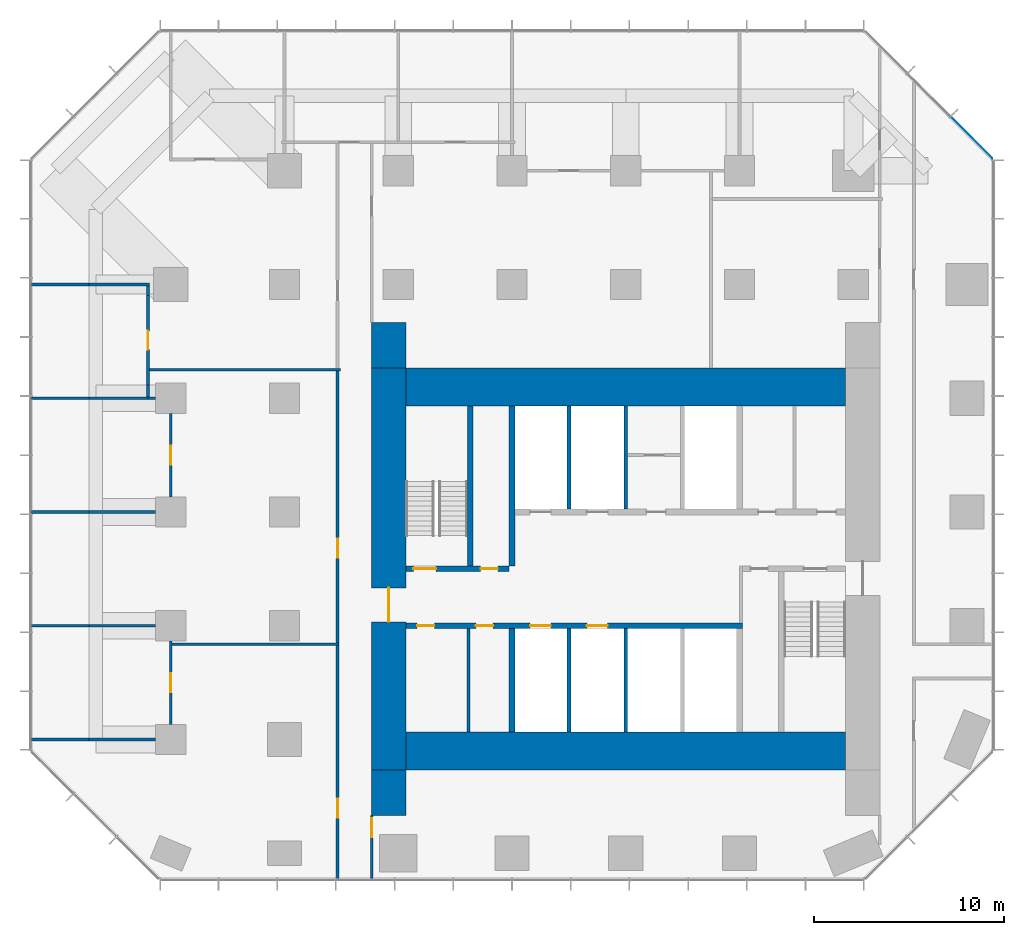
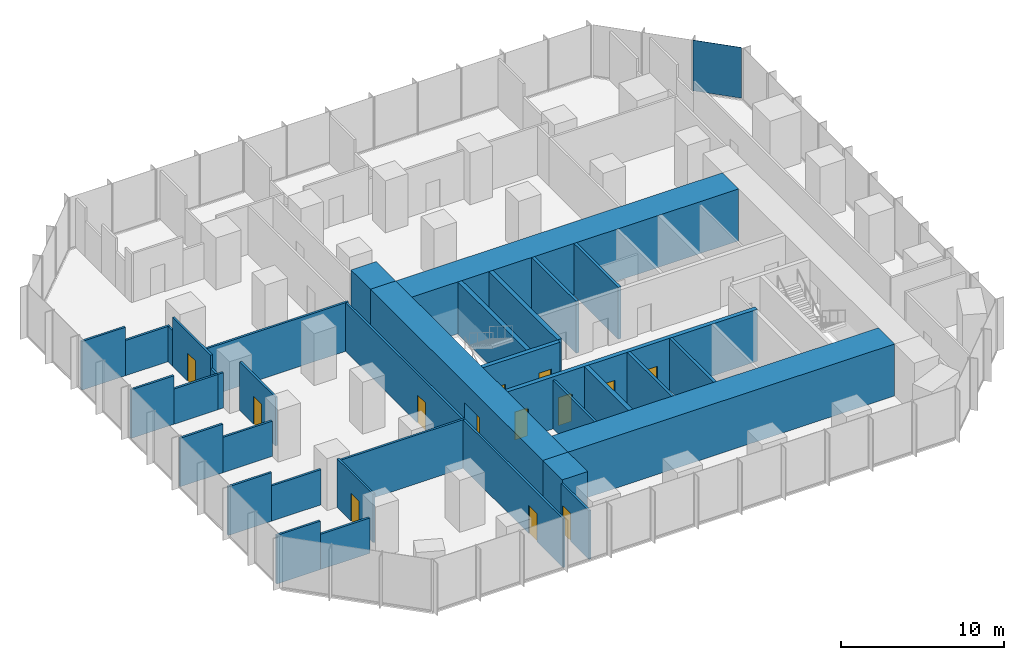
# One storey, part 8 of 11: 36 walls, 13 doors, 1 plate, 13 openings, 1 element without a shape of its own.
"""IFC4 building model written with IfcOpenShell, lengths in metres."""

from ifc_helpers import new_model, si_unit, direction, frame, frame_2d, origin, origin_2d, place, context, subcontext, project, spatial, rectangle, extrude, material, layer, layer_set, type_object, element, fill, aggregate, save


model = new_model("IFC4")

# Units and contexts
model_context = context("Model", 3, precision=1e-05, world=origin(), true_north=direction((0.0, 1.0)))
body_context = subcontext(model_context, "Body", "Model", "MODEL_VIEW")
ifc_project = project(units=[si_unit("LENGTHUNIT", "METRE"), si_unit("AREAUNIT", "SQUARE_METRE"), si_unit("VOLUMEUNIT", "CUBIC_METRE"), si_unit("PLANEANGLEUNIT", "RADIAN"), si_unit("MASSUNIT", "GRAM", prefix="KILO")], contexts=[model_context])

# Site, building, storey
site_placement = place(None, origin())
site = spatial("IfcSite", under=ifc_project, at=site_placement, CompositionType="ELEMENT")
building_placement = place(site_placement, origin())
building = spatial("IfcBuilding", under=site, at=building_placement, Name="Highveld Stack Headquarters", CompositionType="ELEMENT")
storey_placement = place(building_placement, frame((0.0, 0.0, 105.5)))
storey = spatial("IfcBuildingStorey", under=building, at=storey_placement, Name="L25", CompositionType="ELEMENT", Elevation=105.5)

# Curtain wall, plate
ifc_material_1 = material(Name="Aluminium bronze anodised", Category="aluminium")
ifc_layer_1 = layer(ifc_material_1, 0.199951171875)
ifc_layer_set_1 = layer_set([ifc_layer_1], Name="Aluminium bronze anodised")
curtain_wall_type = type_object("IfcCurtainWallType", Name="CW2 TOWER CHAMFER UNITISED CURTAIN WALL", PredefinedType="NOTDEFINED", material=ifc_layer_set_1)
curtain_wall_placement = place(storey_placement, origin())
curtain_wall = element("IfcCurtainWall", 1, at=curtain_wall_placement, inside=storey, type_object=curtain_wall_type, Name="Curtain wall CW2 L25 NE", PredefinedType="NOTDEFINED")
ifc_material_2 = material(Name="Glass bronze tinted double glazed unit", Category="glass")
ifc_layer_2 = layer(ifc_material_2, 0.028076171875)
ifc_layer_set_2 = layer_set([ifc_layer_2], Name="Glass bronze tinted double glazed unit")
plate_type = type_object("IfcPlateType", Name="CW2 PANEL BRONZE TINTED DOUBLE GLAZED UNIT", PredefinedType="CURTAIN_PANEL", material=ifc_layer_set_2)
plate_placement = place(storey_placement, frame((24.239501953125, 25.740478515625, 0.10009765625), z_axis=(0.0, 0.0, 1.0), x_axis=(-0.707106781187, 0.707106781187, 0.0)))
plate = element("IfcPlate", 2, at=plate_placement, type_object=plate_type, Name="CW2 panel L25 1.1", PredefinedType="CURTAIN_PANEL", context=body_context, shape_type="SweptSolid", body=[
    extrude(rectangle(XDim=3.08251953125, YDim=0.028076171875, at=origin_2d()), origin(), (0.0, 0.0, 1.0), 3.800048828125),
])
aggregate(curtain_wall, [plate])

# Wall, opening, door
ifc_material_3 = material(Name="Concrete C60/75", Category="concrete")
ifc_layer_3 = layer(ifc_material_3, 1.800048828125)
ifc_layer_set_3 = layer_set([ifc_layer_3], Name="Concrete C60/75")
wall_type_1 = type_object("IfcWallType", Name="CORE WALL 1800 C60/75", PredefinedType="SHEAR", material=ifc_layer_set_3)
wall_1_placement = place(storey_placement, frame((-6.5, -7.60009765625, 0.0), z_axis=(0.0, 0.0, 1.0), x_axis=(0.0, 1.0, 0.0)))
wall_1 = element("IfcWall", 3, at=wall_1_placement, inside=storey, type_object=wall_type_1, Name="Core wall W L25", PredefinedType="SHEAR", context=body_context, shape_type="SweptSolid", body=[
    extrude(rectangle(XDim=21.2001953125, YDim=1.800048828125, at=frame_2d((10.60009765625, 0.0))), origin(), (0.0, 0.0, 1.0), 3.89990234375),
])
opening_1_placement = place(wall_1_placement, frame((7.800048828125, 0.0, 0.0)))
opening_1 = element("IfcOpeningElement", 4, at=opening_1_placement, cuts=wall_1, Name="Opening L25-01", PredefinedType="OPENING", context=body_context, shape_type="SweptSolid", body=[
    extrude(rectangle(XDim=1.800048828125, YDim=2.39990234375, at=frame_2d((0.89990234375, 1.199951171875))), frame((0.0, 0.909912109375, 0.0), z_axis=(0.0, -1.0, 0.0), x_axis=(1.0, 0.0, 0.0)), (0.0, 0.0, 1.0), 1.820068359375),
])
ifc_material_4 = material(Name="Steel fire door", Category="steel")
door_type_1 = type_object("IfcDoorType", Name="LOBBY FIRE DOOR D4 1800x2400", OperationType="DOUBLE_DOOR_SINGLE_SWING", PredefinedType="DOOR", material=ifc_material_4)
door_1_placement = place(opening_1_placement, origin())
door_1 = element("IfcDoor", 5, at=door_1_placement, inside=storey, type_object=door_type_1, Name="Core west door L25", OperationType="DOUBLE_DOOR_SINGLE_SWING", OverallHeight=2.39990234375, OverallWidth=1.800048828125, PredefinedType="DOOR", context=body_context, shape_type="SweptSolid", body=[
    extrude(rectangle(XDim=1.800048828125, YDim=2.39990234375, at=frame_2d((0.89990234375, 1.199951171875))), frame((0.0, 0.02490234375, 0.0), z_axis=(0.0, -1.0, 0.0), x_axis=(1.0, 0.0, 0.0)), (0.0, 0.0, 1.0), 0.050048828125),
])
fill(opening_1, door_1)

# Walls
ifc_material_5 = material(Name="Concrete C60/75", Category="concrete")
ifc_layer_4 = layer(ifc_material_5, 2.0)
ifc_layer_set_4 = layer_set([ifc_layer_4], Name="Concrete C60/75")
wall_type_2 = type_object("IfcWallType", Name="CORE WALL 2000 C60/75", PredefinedType="SHEAR", material=ifc_layer_set_4)
for number, where, z_axis, x_axis, name in (
    (6, (-5.60009765625, -6.60009765625, 0.0), (0.0, 0.0, 1.0), (1.0, 0.0, 0.0), "Core wall S L25"),
    (7, (-5.60009765625, 12.60009765625, 0.0), (0.0, 0.0, 1.0), (1.0, 0.0, 0.0), "Core wall N L25"),
):
    element("IfcWall", number, at=place(storey_placement, frame(where, z_axis=z_axis, x_axis=x_axis)), inside=storey, type_object=wall_type_2, Name=name, PredefinedType="SHEAR", context=body_context, shape_type="SweptSolid", body=[
        extrude(rectangle(XDim=23.2001953125, YDim=2.0, at=frame_2d((11.60009765625, 0.0))), origin(), (0.0, 0.0, 1.0), 3.89990234375),
    ])

# Wall, openings, doors
ifc_material_6 = material(Name="Concrete C60/75", Category="concrete")
ifc_layer_5 = layer(ifc_material_6, 0.300048828125)
ifc_layer_set_5 = layer_set([ifc_layer_5], Name="Concrete C60/75")
wall_type_3 = type_object("IfcWallType", Name="CORE WALL 300 C60/75", PredefinedType="SHEAR", material=ifc_layer_set_5)
wall_2_placement = place(storey_placement, frame((-5.60009765625, 0.0, 0.0), z_axis=(0.0, 0.0, 1.0), x_axis=(1.0, 0.0, 0.0)))
wall_2 = element("IfcWall", 8, at=wall_2_placement, inside=storey, type_object=wall_type_3, Name="Core wall I-Y0 L25", PredefinedType="SHEAR", context=body_context, shape_type="SweptSolid", body=[
    extrude(rectangle(XDim=17.75, YDim=0.300048828125, at=frame_2d((8.875, 0.0))), origin(), (0.0, 0.0, 1.0), 3.89990234375),
])
opening_2_placement = place(wall_2_placement, frame((0.60009765625, 0.0, 0.0)))
opening_2 = element("IfcOpeningElement", 9, at=opening_2_placement, cuts=wall_2, Name="Opening L25-07", PredefinedType="OPENING", context=body_context, shape_type="SweptSolid", body=[
    extrude(rectangle(XDim=0.89990234375, YDim=2.10009765625, at=frame_2d((0.449951171875, 1.050048828125))), frame((0.0, 0.159912109375, 0.0), z_axis=(0.0, -1.0, 0.0), x_axis=(1.0, 0.0, 0.0)), (0.0, 0.0, 1.0), 0.320068359375),
])
opening_3_placement = place(wall_2_placement, frame((3.699951171875, 0.0, 0.0)))
opening_3 = element("IfcOpeningElement", 10, at=opening_3_placement, cuts=wall_2, Name="Opening L25-08", PredefinedType="OPENING", context=body_context, shape_type="SweptSolid", body=[
    extrude(rectangle(XDim=0.89990234375, YDim=2.10009765625, at=frame_2d((0.449951171875, 1.050048828125))), frame((0.0, 0.159912109375, 0.0), z_axis=(0.0, -1.0, 0.0), x_axis=(1.0, 0.0, 0.0)), (0.0, 0.0, 1.0), 0.320068359375),
])
opening_4_placement = place(wall_2_placement, frame((6.550048828125, 0.0, 0.0)))
opening_4 = element("IfcOpeningElement", 11, at=opening_4_placement, cuts=wall_2, Name="Opening LD", PredefinedType="OPENING", context=body_context, shape_type="SweptSolid", body=[
    extrude(rectangle(XDim=1.10009765625, YDim=2.10009765625, at=frame_2d((0.550048828125, 1.050048828125))), frame((0.0, 0.159912109375, 0.0), z_axis=(0.0, -1.0, 0.0), x_axis=(1.0, 0.0, 0.0)), (0.0, 0.0, 1.0), 0.320068359375),
])
opening_5_placement = place(wall_2_placement, frame((9.550048828125, 0.0, 0.0)))
opening_5 = element("IfcOpeningElement", 12, at=opening_5_placement, cuts=wall_2, Name="Opening LD", PredefinedType="OPENING", context=body_context, shape_type="SweptSolid", body=[
    extrude(rectangle(XDim=1.10009765625, YDim=2.10009765625, at=frame_2d((0.550048828125, 1.050048828125))), frame((0.0, 0.159912109375, 0.0), z_axis=(0.0, -1.0, 0.0), x_axis=(1.0, 0.0, 0.0)), (0.0, 0.0, 1.0), 0.320068359375),
])
ifc_material_7 = material(Name="Stainless steel lift landing door", Category="steel")
door_type_2 = type_object("IfcDoorType", Name="LIFT LANDING DOOR LD 1100x2100", OperationType="DOUBLE_DOOR_SLIDING", PredefinedType="USERDEFINED", material=ifc_material_7)
door_2_placement = place(opening_4_placement, origin())
door_2 = element("IfcDoor", 13, at=door_2_placement, inside=storey, type_object=door_type_2, Name="Lift landing door B1 L25", ObjectType="LIFT LANDING DOOR", OperationType="DOUBLE_DOOR_SLIDING", OverallHeight=2.10009765625, OverallWidth=1.10009765625, PredefinedType="USERDEFINED", context=body_context, shape_type="SweptSolid", body=[
    extrude(rectangle(XDim=1.10009765625, YDim=2.10009765625, at=frame_2d((0.550048828125, 1.050048828125))), frame((0.0, 0.02490234375, 0.0), z_axis=(0.0, -1.0, 0.0), x_axis=(1.0, 0.0, 0.0)), (0.0, 0.0, 1.0), 0.050048828125),
])
fill(opening_4, door_2)
door_3_placement = place(opening_5_placement, origin())
door_3 = element("IfcDoor", 14, at=door_3_placement, inside=storey, type_object=door_type_2, Name="Lift landing door B2 L25", ObjectType="LIFT LANDING DOOR", OperationType="DOUBLE_DOOR_SLIDING", OverallHeight=2.10009765625, OverallWidth=1.10009765625, PredefinedType="USERDEFINED", context=body_context, shape_type="SweptSolid", body=[
    extrude(rectangle(XDim=1.10009765625, YDim=2.10009765625, at=frame_2d((0.550048828125, 1.050048828125))), frame((0.0, 0.02490234375, 0.0), z_axis=(0.0, -1.0, 0.0), x_axis=(1.0, 0.0, 0.0)), (0.0, 0.0, 1.0), 0.050048828125),
])
fill(opening_5, door_3)
ifc_material_8 = material(Name="Timber door, painted", Category="wood")
door_type_3 = type_object("IfcDoorType", Name="WC DOOR D1 900x2100", OperationType="SINGLE_SWING_LEFT", PredefinedType="DOOR", material=ifc_material_8)
door_4_placement = place(opening_2_placement, origin())
door_4 = element("IfcDoor", 15, at=door_4_placement, inside=storey, type_object=door_type_3, Name="Female WC door L25", OperationType="SINGLE_SWING_LEFT", OverallHeight=2.10009765625, OverallWidth=0.89990234375, PredefinedType="DOOR", context=body_context, shape_type="SweptSolid", body=[
    extrude(rectangle(XDim=0.89990234375, YDim=2.10009765625, at=frame_2d((0.449951171875, 1.050048828125))), frame((0.0, 0.02490234375, 0.0), z_axis=(0.0, -1.0, 0.0), x_axis=(1.0, 0.0, 0.0)), (0.0, 0.0, 1.0), 0.050048828125),
])
fill(opening_2, door_4)
door_5_placement = place(opening_3_placement, origin())
door_5 = element("IfcDoor", 16, at=door_5_placement, inside=storey, type_object=door_type_3, Name="Shower and changing room door L25", OperationType="SINGLE_SWING_LEFT", OverallHeight=2.10009765625, OverallWidth=0.89990234375, PredefinedType="DOOR", context=body_context, shape_type="SweptSolid", body=[
    extrude(rectangle(XDim=0.89990234375, YDim=2.10009765625, at=frame_2d((0.449951171875, 1.050048828125))), frame((0.0, 0.02490234375, 0.0), z_axis=(0.0, -1.0, 0.0), x_axis=(1.0, 0.0, 0.0)), (0.0, 0.0, 1.0), 0.050048828125),
])
fill(opening_3, door_5)

wall_3_placement = place(storey_placement, frame((-5.60009765625, 3.0, 0.0), z_axis=(0.0, 0.0, 1.0), x_axis=(1.0, 0.0, 0.0)))
wall_3 = element("IfcWall", 17, at=wall_3_placement, inside=storey, type_object=wall_type_3, Name="Core wall I-Y3W L25", PredefinedType="SHEAR", context=body_context, shape_type="SweptSolid", body=[
    extrude(rectangle(XDim=5.4501953125, YDim=0.300048828125, at=frame_2d((2.72509765625, 0.0))), origin(), (0.0, 0.0, 1.0), 3.89990234375),
])
opening_6_placement = place(wall_3_placement, frame((0.39990234375, 0.0, 0.0)))
opening_6 = element("IfcOpeningElement", 18, at=opening_6_placement, cuts=wall_3, Name="Opening L25-03", PredefinedType="OPENING", context=body_context, shape_type="SweptSolid", body=[
    extrude(rectangle(XDim=1.199951171875, YDim=2.10009765625, at=frame_2d((0.60009765625, 1.050048828125))), frame((0.0, 0.159912109375, 0.0), z_axis=(0.0, -1.0, 0.0), x_axis=(1.0, 0.0, 0.0)), (0.0, 0.0, 1.0), 0.320068359375),
])
opening_7_placement = place(wall_3_placement, frame((3.949951171875, 0.0, 0.0)))
opening_7 = element("IfcOpeningElement", 19, at=opening_7_placement, cuts=wall_3, Name="Opening L25-04", PredefinedType="OPENING", context=body_context, shape_type="SweptSolid", body=[
    extrude(rectangle(XDim=0.89990234375, YDim=2.10009765625, at=frame_2d((0.449951171875, 1.050048828125))), frame((0.0, 0.159912109375, 0.0), z_axis=(0.0, -1.0, 0.0), x_axis=(1.0, 0.0, 0.0)), (0.0, 0.0, 1.0), 0.320068359375),
])
ifc_material_9 = material(Name="Steel fire door", Category="steel")
door_type_4 = type_object("IfcDoorType", Name="RISER ACCESS DOOR D5 900x2100", OperationType="SINGLE_SWING_LEFT", PredefinedType="DOOR", material=ifc_material_9)
door_6_placement = place(opening_7_placement, origin())
door_6 = element("IfcDoor", 20, at=door_6_placement, inside=storey, type_object=door_type_4, Name="Riser R1 door L25", OperationType="SINGLE_SWING_RIGHT", OverallHeight=2.10009765625, OverallWidth=0.89990234375, PredefinedType="DOOR", context=body_context, shape_type="SweptSolid", body=[
    extrude(rectangle(XDim=0.89990234375, YDim=2.10009765625, at=frame_2d((0.449951171875, 1.050048828125))), frame((0.0, 0.02490234375, 0.0), z_axis=(0.0, -1.0, 0.0), x_axis=(1.0, 0.0, 0.0)), (0.0, 0.0, 1.0), 0.050048828125),
])
fill(opening_7, door_6)
ifc_material_10 = material(Name="Steel fire door", Category="steel")
door_type_5 = type_object("IfcDoorType", Name="STAIR FIRE DOOR D3 1200x2100", OperationType="SINGLE_SWING_LEFT", PredefinedType="DOOR", material=ifc_material_10)
door_7_placement = place(opening_6_placement, origin())
door_7 = element("IfcDoor", 21, at=door_7_placement, inside=storey, type_object=door_type_5, Name="Stair S1 door L25", OperationType="SINGLE_SWING_LEFT", OverallHeight=2.10009765625, OverallWidth=1.199951171875, PredefinedType="DOOR", context=body_context, shape_type="SweptSolid", body=[
    extrude(rectangle(XDim=1.199951171875, YDim=2.10009765625, at=frame_2d((0.60009765625, 1.050048828125))), frame((0.0, 0.02490234375, 0.0), z_axis=(0.0, -1.0, 0.0), x_axis=(1.0, 0.0, 0.0)), (0.0, 0.0, 1.0), 0.050048828125),
])
fill(opening_6, door_7)

# Walls
wall_4_placement = place(storey_placement, frame((0.0, -5.60009765625, 0.0), z_axis=(0.0, 0.0, 1.0), x_axis=(0.0, 1.0, 0.0)))
element("IfcWall", 22, at=wall_4_placement, inside=storey, type_object=wall_type_3, Name="Core wall I-X0S L25", PredefinedType="SHEAR", context=body_context, shape_type="SweptSolid", body=[
    extrude(rectangle(XDim=5.4501953125, YDim=0.300048828125, at=frame_2d((2.72509765625, 0.0))), origin(), (0.0, 0.0, 1.0), 3.89990234375),
])
for number, where, z_axis, x_axis, name in (
    (23, (0.0, 3.14990234375, 0.0), (0.0, 0.0, 1.0), (0.0, 1.0, 0.0), "Core wall I-X0N L25"),
    (24, (-2.199951171875, 3.14990234375, 0.0), (0.0, 0.0, 1.0), (0.0, 1.0, 0.0), "Core wall I-RW L25"),
):
    element("IfcWall", number, at=place(storey_placement, frame(where, z_axis=z_axis, x_axis=x_axis)), inside=storey, type_object=wall_type_3, Name=name, PredefinedType="SHEAR", context=body_context, shape_type="SweptSolid", body=[
        extrude(rectangle(XDim=8.4501953125, YDim=0.300048828125, at=frame_2d((4.22509765625, 0.0))), origin(), (0.0, 0.0, 1.0), 3.89990234375),
    ])
ifc_material_11 = material(Name="Concrete C60/75", Category="concrete")
ifc_layer_6 = layer(ifc_material_11, 1.800048828125)
ifc_layer_set_6 = layer_set([ifc_layer_6], Name="Concrete C60/75")
wall_type_4 = type_object("IfcWallType", Name="CORE WING WALL 1800 C60/75", PredefinedType="SHEAR", material=ifc_layer_set_6)
for number, where, z_axis, x_axis, name in (
    (25, (-6.5, -10.0, 0.0), (0.0, 0.0, 1.0), (0.0, 1.0, 0.0), "Core wing wall WS L25"),
    (26, (-6.5, 13.60009765625, 0.0), (0.0, 0.0, 1.0), (0.0, 1.0, 0.0), "Core wing wall WN L25"),
):
    element("IfcWall", number, at=place(storey_placement, frame(where, z_axis=z_axis, x_axis=x_axis)), inside=storey, type_object=wall_type_4, Name=name, PredefinedType="SHEAR", context=body_context, shape_type="SweptSolid", body=[
        extrude(rectangle(XDim=2.39990234375, YDim=1.800048828125, at=frame_2d((1.199951171875, 0.0))), origin(), (0.0, 0.0, 1.0), 3.89990234375),
    ])

# Wall, opening, door
ifc_material_12 = material(Name="Laminated glass in aluminium frame", Category="aluminium")
ifc_layer_7 = layer(ifc_material_12, 0.14990234375)
ifc_layer_set_7 = layer_set([ifc_layer_7], Name="Laminated glass in aluminium frame")
wall_type_5 = type_object("IfcWallType", Name="GLAZED PARTITION 150", PredefinedType="PARTITIONING", material=ifc_layer_set_7)
wall_5_placement = place(storey_placement, frame((-18.0, -5.199951171875, 0.0), z_axis=(0.0, 0.0, 1.0), x_axis=(0.0, 1.0, 0.0)))
wall_5 = element("IfcWall", 27, at=wall_5_placement, inside=storey, type_object=wall_type_5, Name="Glazed partition Meeting room L25", PredefinedType="PARTITIONING", context=body_context, shape_type="SweptSolid", body=[
    extrude(rectangle(XDim=4.39990234375, YDim=0.14990234375, at=frame_2d((2.199951171875, 0.0))), origin(), (0.0, 0.0, 1.0), 3.64990234375),
])
opening_8_placement = place(wall_5_placement, frame((1.699951171875, 0.0, 0.0)))
opening_8 = element("IfcOpeningElement", 28, at=opening_8_placement, cuts=wall_5, Name="Opening L25-13", PredefinedType="OPENING", context=body_context, shape_type="SweptSolid", body=[
    extrude(rectangle(XDim=1.0, YDim=2.10009765625, at=frame_2d((0.5, 1.050048828125))), frame((0.0, 0.0849609375, 0.0), z_axis=(0.0, -1.0, 0.0), x_axis=(1.0, 0.0, 0.0)), (0.0, 0.0, 1.0), 0.169921875),
])
ifc_material_13 = material(Name="Timber door, oiled ash", Category="wood")
door_type_6 = type_object("IfcDoorType", Name="ROOM DOOR D6 1000x2100", OperationType="SINGLE_SWING_LEFT", PredefinedType="DOOR", material=ifc_material_13)
door_8_placement = place(opening_8_placement, origin())
door_8 = element("IfcDoor", 29, at=door_8_placement, inside=storey, type_object=door_type_6, Name="Meeting room door 1 L25", OperationType="SINGLE_SWING_LEFT", OverallHeight=2.10009765625, OverallWidth=1.0, PredefinedType="DOOR", context=body_context, shape_type="SweptSolid", body=[
    extrude(rectangle(XDim=1.0, YDim=2.10009765625, at=frame_2d((0.5, 1.050048828125))), frame((0.0, 0.02490234375, 0.0), z_axis=(0.0, -1.0, 0.0), x_axis=(1.0, 0.0, 0.0)), (0.0, 0.0, 1.0), 0.050048828125),
])
fill(opening_8, door_8)

# Walls
ifc_material_14 = material(Name="Concrete blockwork, fair-faced", Category="masonry")
ifc_layer_8 = layer(ifc_material_14, 0.199951171875)
ifc_layer_set_8 = layer_set([ifc_layer_8], Name="Concrete blockwork, fair-faced")
wall_type_6 = type_object("IfcWallType", Name="LIFT SHAFT ENCLOSURE WALL 200 BLOCKWORK", PredefinedType="SOLIDWALL", material=ifc_layer_set_8)
for number, where, z_axis, x_axis, name in (
    (30, (3.0, 6.14990234375, 0.0), (0.0, 0.0, 1.0), (0.0, 1.0, 0.0), "Lift shaft wall L25"),
    (31, (6.0, 6.14990234375, 0.0), (0.0, 0.0, 1.0), (0.0, 1.0, 0.0), "Lift shaft wall L25"),
    (32, (3.0, -5.60009765625, 0.0), (0.0, 0.0, 1.0), (0.0, 1.0, 0.0), "Lift shaft wall L25"),
    (33, (6.0, -5.60009765625, 0.0), (0.0, 0.0, 1.0), (0.0, 1.0, 0.0), "Lift shaft wall L25"),
):
    element("IfcWall", number, at=place(storey_placement, frame(where, z_axis=z_axis, x_axis=x_axis)), inside=storey, type_object=wall_type_6, Name=name, PredefinedType="SOLIDWALL", context=body_context, shape_type="SweptSolid", body=[
        extrude(rectangle(XDim=5.4501953125, YDim=0.199951171875, at=frame_2d((2.72509765625, 0.0))), origin(), (0.0, 0.0, 1.0), 3.89990234375),
    ])
ifc_material_15 = material(Name="Gypsum plasterboard on steel studs", Category="steel")
ifc_layer_9 = layer(ifc_material_15, 0.14990234375)
ifc_layer_set_9 = layer_set([ifc_layer_9], Name="Gypsum plasterboard on steel studs")
wall_type_7 = type_object("IfcWallType", Name="PARTITION 150 PLASTERBOARD", PredefinedType="PARTITIONING", material=ifc_layer_set_9)
wall_6_placement = place(storey_placement, frame((-25.39990234375, -6.0, 0.0), z_axis=(0.0, 0.0, 1.0), x_axis=(1.0, 0.0, 0.0)))
element("IfcWall", 34, at=wall_6_placement, inside=storey, type_object=wall_type_7, Name="Partition Meeting room L25", PredefinedType="PARTITIONING", context=body_context, shape_type="SweptSolid", body=[
    extrude(rectangle(XDim=3.08984375, YDim=0.14990234375, at=frame_2d((1.544921875, 0.0))), origin(), (0.0, 0.0, 1.0), 3.64990234375),
])
wall_7_placement = place(storey_placement, frame((-22.31005859375, -6.0, 0.0), z_axis=(0.0, 0.0, 1.0), x_axis=(1.0, 0.0, 0.0)))
element("IfcWall", 35, at=wall_7_placement, inside=storey, type_object=wall_type_7, Name="Partition Meeting room L25", PredefinedType="PARTITIONING", context=body_context, shape_type="SweptSolid", body=[
    extrude(rectangle(XDim=3.510009765625, YDim=0.14990234375, at=frame_2d((1.7548828125, 0.0))), origin(), (0.0, 0.0, 1.0), 2.64990234375),
])
wall_8_placement = place(storey_placement, frame((-25.39990234375, 0.0, 0.0), z_axis=(0.0, 0.0, 1.0), x_axis=(1.0, 0.0, 0.0)))
element("IfcWall", 36, at=wall_8_placement, inside=storey, type_object=wall_type_7, Name="Partition Meeting room L25", PredefinedType="PARTITIONING", context=body_context, shape_type="SweptSolid", body=[
    extrude(rectangle(XDim=3.08984375, YDim=0.14990234375, at=frame_2d((1.544921875, 0.0))), origin(), (0.0, 0.0, 1.0), 3.64990234375),
])
wall_9_placement = place(storey_placement, frame((-22.31005859375, 0.0, 0.0), z_axis=(0.0, 0.0, 1.0), x_axis=(1.0, 0.0, 0.0)))
element("IfcWall", 37, at=wall_9_placement, inside=storey, type_object=wall_type_7, Name="Partition Meeting room L25", PredefinedType="PARTITIONING", context=body_context, shape_type="SweptSolid", body=[
    extrude(rectangle(XDim=3.510009765625, YDim=0.14990234375, at=frame_2d((1.7548828125, 0.0))), origin(), (0.0, 0.0, 1.0), 2.64990234375),
])
wall_10_placement = place(storey_placement, frame((-25.35009765625, 6.0, 0.0), z_axis=(0.0, 0.0, 1.0), x_axis=(1.0, 0.0, 0.0)))
element("IfcWall", 38, at=wall_10_placement, inside=storey, type_object=wall_type_7, Name="Partition Office L25", PredefinedType="PARTITIONING", context=body_context, shape_type="SweptSolid", body=[
    extrude(rectangle(XDim=3.0400390625, YDim=0.14990234375, at=frame_2d((1.52001953125, 0.0))), origin(), (0.0, 0.0, 1.0), 3.64990234375),
])
wall_11_placement = place(storey_placement, frame((-22.31005859375, 6.0, 0.0), z_axis=(0.0, 0.0, 1.0), x_axis=(1.0, 0.0, 0.0)))
element("IfcWall", 39, at=wall_11_placement, inside=storey, type_object=wall_type_7, Name="Partition Office L25", PredefinedType="PARTITIONING", context=body_context, shape_type="SweptSolid", body=[
    extrude(rectangle(XDim=3.510009765625, YDim=0.14990234375, at=frame_2d((1.7548828125, 0.0))), origin(), (0.0, 0.0, 1.0), 2.64990234375),
])
wall_12_placement = place(storey_placement, frame((-25.35009765625, 12.0, 0.0), z_axis=(0.0, 0.0, 1.0), x_axis=(1.0, 0.0, 0.0)))
element("IfcWall", 40, at=wall_12_placement, inside=storey, type_object=wall_type_7, Name="Partition Office / Tea kitchen L25", PredefinedType="PARTITIONING", context=body_context, shape_type="SweptSolid", body=[
    extrude(rectangle(XDim=3.0400390625, YDim=0.14990234375, at=frame_2d((1.52001953125, 0.0))), origin(), (0.0, 0.0, 1.0), 3.64990234375),
])
wall_13_placement = place(storey_placement, frame((-22.31005859375, 12.0, 0.0), z_axis=(0.0, 0.0, 1.0), x_axis=(1.0, 0.0, 0.0)))
element("IfcWall", 41, at=wall_13_placement, inside=storey, type_object=wall_type_7, Name="Partition Office / Tea kitchen L25", PredefinedType="PARTITIONING", context=body_context, shape_type="SweptSolid", body=[
    extrude(rectangle(XDim=3.18505859375, YDim=0.14990234375, at=frame_2d((1.592529296875, 0.0))), origin(), (0.0, 0.0, 1.0), 2.64990234375),
])
wall_14_placement = place(storey_placement, frame((-19.199951171875, 12.0, 0.0), z_axis=(0.0, 0.0, 1.0), x_axis=(1.0, 0.0, 0.0)))
element("IfcWall", 42, at=wall_14_placement, inside=storey, type_object=wall_type_7, Name="Partition Office L25", PredefinedType="PARTITIONING", context=body_context, shape_type="SweptSolid", body=[
    extrude(rectangle(XDim=0.39990234375, YDim=0.14990234375, at=frame_2d((0.199951171875, 0.0))), origin(), (0.0, 0.0, 1.0), 2.64990234375),
])
wall_15_placement = place(storey_placement, frame((-25.39990234375, 18.0, 0.0), z_axis=(0.0, 0.0, 1.0), x_axis=(1.0, 0.0, 0.0)))
element("IfcWall", 43, at=wall_15_placement, inside=storey, type_object=wall_type_7, Name="Partition Tea kitchen L25", PredefinedType="PARTITIONING", context=body_context, shape_type="SweptSolid", body=[
    extrude(rectangle(XDim=3.08984375, YDim=0.14990234375, at=frame_2d((1.544921875, 0.0))), origin(), (0.0, 0.0, 1.0), 3.64990234375),
])
wall_16_placement = place(storey_placement, frame((-22.31005859375, 18.0, 0.0), z_axis=(0.0, 0.0, 1.0), x_axis=(1.0, 0.0, 0.0)))
element("IfcWall", 44, at=wall_16_placement, inside=storey, type_object=wall_type_7, Name="Partition Tea kitchen L25", PredefinedType="PARTITIONING", context=body_context, shape_type="SweptSolid", body=[
    extrude(rectangle(XDim=3.18505859375, YDim=0.14990234375, at=frame_2d((1.592529296875, 0.0))), origin(), (0.0, 0.0, 1.0), 2.64990234375),
])
wall_17_placement = place(storey_placement, frame((-19.199951171875, 12.074951171875, 0.0), z_axis=(0.0, 0.0, 1.0), x_axis=(0.0, 1.0, 0.0)))
element("IfcWall", 45, at=wall_17_placement, inside=storey, type_object=wall_type_7, Name="Partition Tea kitchen L25", PredefinedType="PARTITIONING", context=body_context, shape_type="SweptSolid", body=[
    extrude(rectangle(XDim=0.635009765625, YDim=0.14990234375, at=frame_2d((0.3173828125, 0.0))), origin(), (0.0, 0.0, 1.0), 2.64990234375),
])

# Wall, opening, door
wall_18_placement = place(storey_placement, frame((-19.199951171875, 12.7099609375, 0.0), z_axis=(0.0, 0.0, 1.0), x_axis=(0.0, 1.0, 0.0)))
wall_18 = element("IfcWall", 46, at=wall_18_placement, inside=storey, type_object=wall_type_7, Name="Partition Tea kitchen L25", PredefinedType="PARTITIONING", context=body_context, shape_type="SweptSolid", body=[
    extrude(rectangle(XDim=4.697998046875, YDim=0.14990234375, at=frame_2d((2.34912109375, 0.0))), origin(), (0.0, 0.0, 1.0), 3.64990234375),
])
opening_9_placement = place(wall_18_placement, frame((1.84912109375, 0.0, 0.0)))
opening_9 = element("IfcOpeningElement", 47, at=opening_9_placement, cuts=wall_18, Name="Opening L25-15", PredefinedType="OPENING", context=body_context, shape_type="SweptSolid", body=[
    extrude(rectangle(XDim=1.0, YDim=2.10009765625, at=frame_2d((0.5, 1.050048828125))), frame((0.0, 0.0849609375, 0.0), z_axis=(0.0, -1.0, 0.0), x_axis=(1.0, 0.0, 0.0)), (0.0, 0.0, 1.0), 0.169921875),
])
door_9_placement = place(opening_9_placement, origin())
door_9 = element("IfcDoor", 48, at=door_9_placement, inside=storey, type_object=door_type_6, Name="Tea kitchen door 1 L25", OperationType="SINGLE_SWING_LEFT", OverallHeight=2.10009765625, OverallWidth=1.0, PredefinedType="DOOR", context=body_context, shape_type="SweptSolid", body=[
    extrude(rectangle(XDim=1.0, YDim=2.10009765625, at=frame_2d((0.5, 1.050048828125))), frame((0.0, 0.02490234375, 0.0), z_axis=(0.0, -1.0, 0.0), x_axis=(1.0, 0.0, 0.0)), (0.0, 0.0, 1.0), 0.050048828125),
])
fill(opening_9, door_9)

# Wall
wall_19_placement = place(storey_placement, frame((-19.199951171875, 17.407958984375, 0.0), z_axis=(0.0, 0.0, 1.0), x_axis=(0.0, 1.0, 0.0)))
element("IfcWall", 49, at=wall_19_placement, inside=storey, type_object=wall_type_7, Name="Partition Tea kitchen L25", PredefinedType="PARTITIONING", context=body_context, shape_type="SweptSolid", body=[
    extrude(rectangle(XDim=0.51708984375, YDim=0.14990234375, at=frame_2d((0.258544921875, 0.0))), origin(), (0.0, 0.0, 1.0), 2.64990234375),
])

# Wall, opening, door
wall_20_placement = place(storey_placement, frame((-18.0, 6.800048828125, 0.0), z_axis=(0.0, 0.0, 1.0), x_axis=(0.0, 1.0, 0.0)))
wall_20 = element("IfcWall", 50, at=wall_20_placement, inside=storey, type_object=wall_type_7, Name="Partition Office L25", PredefinedType="PARTITIONING", context=body_context, shape_type="SweptSolid", body=[
    extrude(rectangle(XDim=4.39990234375, YDim=0.14990234375, at=frame_2d((2.199951171875, 0.0))), origin(), (0.0, 0.0, 1.0), 3.64990234375),
])
opening_10_placement = place(wall_20_placement, frame((1.699951171875, 0.0, 0.0)))
opening_10 = element("IfcOpeningElement", 51, at=opening_10_placement, cuts=wall_20, Name="Opening L25-14", PredefinedType="OPENING", context=body_context, shape_type="SweptSolid", body=[
    extrude(rectangle(XDim=1.0, YDim=2.10009765625, at=frame_2d((0.5, 1.050048828125))), frame((0.0, 0.0849609375, 0.0), z_axis=(0.0, -1.0, 0.0), x_axis=(1.0, 0.0, 0.0)), (0.0, 0.0, 1.0), 0.169921875),
])
door_10_placement = place(opening_10_placement, origin())
door_10 = element("IfcDoor", 52, at=door_10_placement, inside=storey, type_object=door_type_6, Name="Office door 1 L25", OperationType="SINGLE_SWING_RIGHT", OverallHeight=2.10009765625, OverallWidth=1.0, PredefinedType="DOOR", context=body_context, shape_type="SweptSolid", body=[
    extrude(rectangle(XDim=1.0, YDim=2.10009765625, at=frame_2d((0.5, 1.050048828125))), frame((0.0, 0.02490234375, 0.0), z_axis=(0.0, -1.0, 0.0), x_axis=(1.0, 0.0, 0.0)), (0.0, 0.0, 1.0), 0.050048828125),
])
fill(opening_10, door_10)

# Walls
wall_21_placement = place(storey_placement, frame((-19.125, 13.5, 0.0), z_axis=(0.0, 0.0, 1.0), x_axis=(1.0, 0.0, 0.0)))
element("IfcWall", 53, at=wall_21_placement, inside=storey, type_object=wall_type_7, Name="Partition office neighbourhood L25", PredefinedType="PARTITIONING", context=body_context, shape_type="SweptSolid", body=[
    extrude(rectangle(XDim=10.074951171875, YDim=0.14990234375, at=frame_2d((5.03759765625, 0.0))), origin(), (0.0, 0.0, 1.0), 3.64990234375),
])
wall_22_placement = place(storey_placement, frame((-17.925048828125, -0.97509765625, 0.0), z_axis=(0.0, 0.0, 1.0), x_axis=(1.0, 0.0, 0.0)))
element("IfcWall", 54, at=wall_22_placement, inside=storey, type_object=wall_type_7, Name="Partition office neighbourhood L25", PredefinedType="PARTITIONING", context=body_context, shape_type="SweptSolid", body=[
    extrude(rectangle(XDim=8.800048828125, YDim=0.14990234375, at=frame_2d((4.39990234375, 0.0))), origin(), (0.0, 0.0, 1.0), 3.64990234375),
])

# Wall, opening, door
wall_23_placement = place(storey_placement, frame((-9.199951171875, -13.35009765625, 0.0), z_axis=(0.0, 0.0, 1.0), x_axis=(0.0, 1.0, 0.0)))
wall_23 = element("IfcWall", 55, at=wall_23_placement, inside=storey, type_object=wall_type_7, Name="Partition office neighbourhood L25", PredefinedType="PARTITIONING", context=body_context, shape_type="SweptSolid", body=[
    extrude(rectangle(XDim=12.300048828125, YDim=0.14990234375, at=frame_2d((6.14990234375, 0.0))), origin(), (0.0, 0.0, 1.0), 3.64990234375),
])
opening_11_placement = place(wall_23_placement, frame((3.23388671875, 0.0, 0.0)))
opening_11 = element("IfcOpeningElement", 56, at=opening_11_placement, cuts=wall_23, Name="Opening L25-20", PredefinedType="OPENING", context=body_context, shape_type="SweptSolid", body=[
    extrude(rectangle(XDim=1.0, YDim=2.10009765625, at=frame_2d((0.5, 1.050048828125))), frame((0.0, 0.0849609375, 0.0), z_axis=(0.0, -1.0, 0.0), x_axis=(1.0, 0.0, 0.0)), (0.0, 0.0, 1.0), 0.169921875),
])
door_11_placement = place(opening_11_placement, origin())
door_11 = element("IfcDoor", 57, at=door_11_placement, inside=storey, type_object=door_type_6, Name="Office neighbourhood door L25", OperationType="SINGLE_SWING_LEFT", OverallHeight=2.10009765625, OverallWidth=1.0, PredefinedType="DOOR", context=body_context, shape_type="SweptSolid", body=[
    extrude(rectangle(XDim=1.0, YDim=2.10009765625, at=frame_2d((0.5, 1.050048828125))), frame((0.0, 0.02490234375, 0.0), z_axis=(0.0, -1.0, 0.0), x_axis=(1.0, 0.0, 0.0)), (0.0, 0.0, 1.0), 0.050048828125),
])
fill(opening_11, door_11)

wall_24_placement = place(storey_placement, frame((-9.199951171875, -0.89990234375, 0.0), z_axis=(0.0, 0.0, 1.0), x_axis=(0.0, 1.0, 0.0)))
wall_24 = element("IfcWall", 58, at=wall_24_placement, inside=storey, type_object=wall_type_7, Name="Partition office neighbourhood L25", PredefinedType="PARTITIONING", context=body_context, shape_type="SweptSolid", body=[
    extrude(rectangle(XDim=14.324951171875, YDim=0.14990234375, at=frame_2d((7.16259765625, 0.0))), origin(), (0.0, 0.0, 1.0), 3.64990234375),
])
opening_12_placement = place(wall_24_placement, frame((4.490966796875, 0.0, 0.0)))
opening_12 = element("IfcOpeningElement", 59, at=opening_12_placement, cuts=wall_24, Name="Opening L25-22", PredefinedType="OPENING", context=body_context, shape_type="SweptSolid", body=[
    extrude(rectangle(XDim=1.0, YDim=2.10009765625, at=frame_2d((0.5, 1.050048828125))), frame((0.0, 0.0849609375, 0.0), z_axis=(0.0, -1.0, 0.0), x_axis=(1.0, 0.0, 0.0)), (0.0, 0.0, 1.0), 0.169921875),
])
door_12_placement = place(opening_12_placement, origin())
door_12 = element("IfcDoor", 60, at=door_12_placement, inside=storey, type_object=door_type_6, Name="Office neighbourhood door L25", OperationType="SINGLE_SWING_LEFT", OverallHeight=2.10009765625, OverallWidth=1.0, PredefinedType="DOOR", context=body_context, shape_type="SweptSolid", body=[
    extrude(rectangle(XDim=1.0, YDim=2.10009765625, at=frame_2d((0.5, 1.050048828125))), frame((0.0, 0.02490234375, 0.0), z_axis=(0.0, -1.0, 0.0), x_axis=(1.0, 0.0, 0.0)), (0.0, 0.0, 1.0), 0.050048828125),
])
fill(opening_12, door_12)

wall_25_placement = place(storey_placement, frame((-7.39990234375, -13.39990234375, 0.0), z_axis=(0.0, 0.0, 1.0), x_axis=(0.0, 1.0, 0.0)))
wall_25 = element("IfcWall", 61, at=wall_25_placement, inside=storey, type_object=wall_type_7, Name="Partition office neighbourhood L25", PredefinedType="PARTITIONING", context=body_context, shape_type="SweptSolid", body=[
    extrude(rectangle(XDim=3.39990234375, YDim=0.14990234375, at=frame_2d((1.699951171875, 0.0))), origin(), (0.0, 0.0, 1.0), 3.64990234375),
])
opening_13_placement = place(wall_25_placement, frame((2.25, 0.0, 0.0)))
opening_13 = element("IfcOpeningElement", 62, at=opening_13_placement, cuts=wall_25, Name="Opening L25-28", PredefinedType="OPENING", context=body_context, shape_type="SweptSolid", body=[
    extrude(rectangle(XDim=1.0, YDim=2.10009765625, at=frame_2d((0.5, 1.050048828125))), frame((0.0, 0.0849609375, 0.0), z_axis=(0.0, -1.0, 0.0), x_axis=(1.0, 0.0, 0.0)), (0.0, 0.0, 1.0), 0.169921875),
])
door_13_placement = place(opening_13_placement, origin())
door_13 = element("IfcDoor", 63, at=door_13_placement, inside=storey, type_object=door_type_6, Name="Office neighbourhood door L25", OperationType="SINGLE_SWING_RIGHT", OverallHeight=2.10009765625, OverallWidth=1.0, PredefinedType="DOOR", context=body_context, shape_type="SweptSolid", body=[
    extrude(rectangle(XDim=1.0, YDim=2.10009765625, at=frame_2d((0.5, 1.050048828125))), frame((0.0, 0.02490234375, 0.0), z_axis=(0.0, -1.0, 0.0), x_axis=(1.0, 0.0, 0.0)), (0.0, 0.0, 1.0), 0.050048828125),
])
fill(opening_13, door_13)

# Wall
ifc_material_16 = material(Name="Concrete blockwork, tiled", Category="masonry")
ifc_layer_10 = layer(ifc_material_16, 0.14990234375)
ifc_layer_set_10 = layer_set([ifc_layer_10], Name="Concrete blockwork, tiled")
wall_type_8 = type_object("IfcWallType", Name="WC PARTITION 150", PredefinedType="PLUMBINGWALL", material=ifc_layer_set_10)
wall_26_placement = place(storey_placement, frame((-2.300048828125, -5.60009765625, 0.0), z_axis=(0.0, 0.0, 1.0), x_axis=(0.0, 1.0, 0.0)))
element("IfcWall", 64, at=wall_26_placement, inside=storey, type_object=wall_type_8, Name="Toilet partition L25", PredefinedType="PLUMBINGWALL", context=body_context, shape_type="SweptSolid", body=[
    extrude(rectangle(XDim=5.4501953125, YDim=0.14990234375, at=frame_2d((2.72509765625, 0.0))), origin(), (0.0, 0.0, 1.0), 3.64990234375),
])

save(model, "model.ifc")
